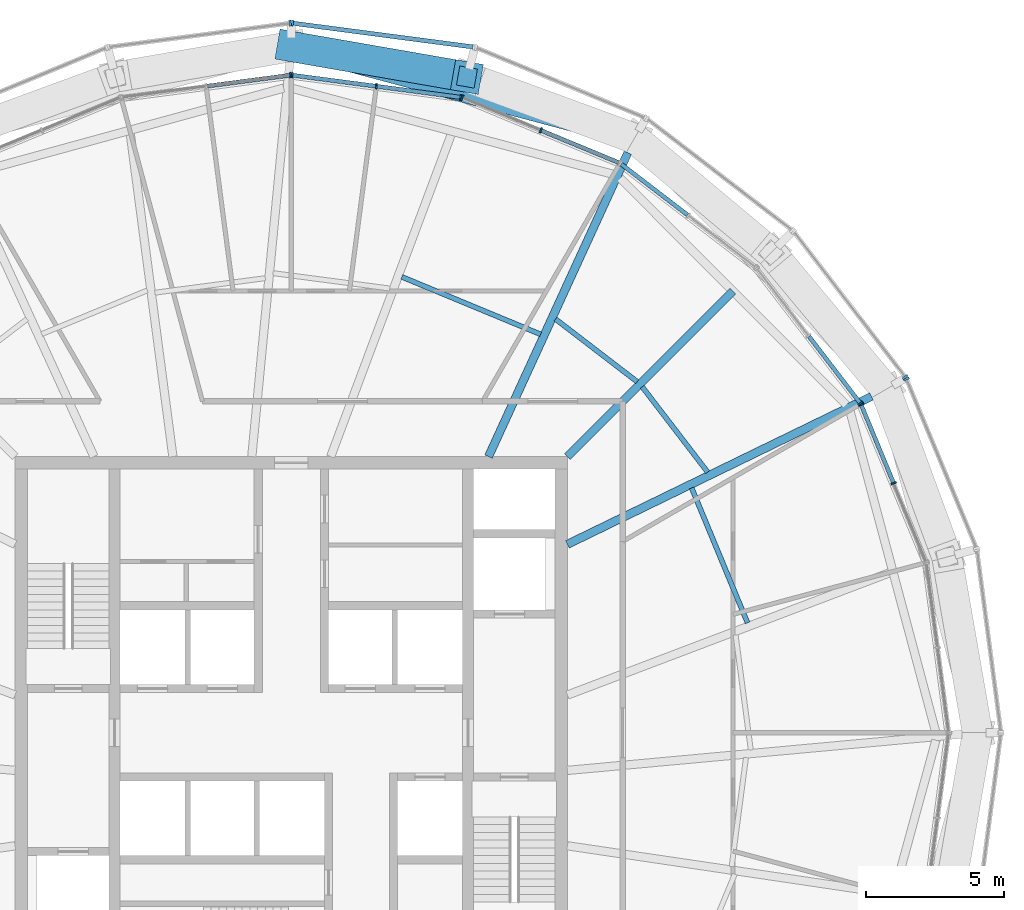
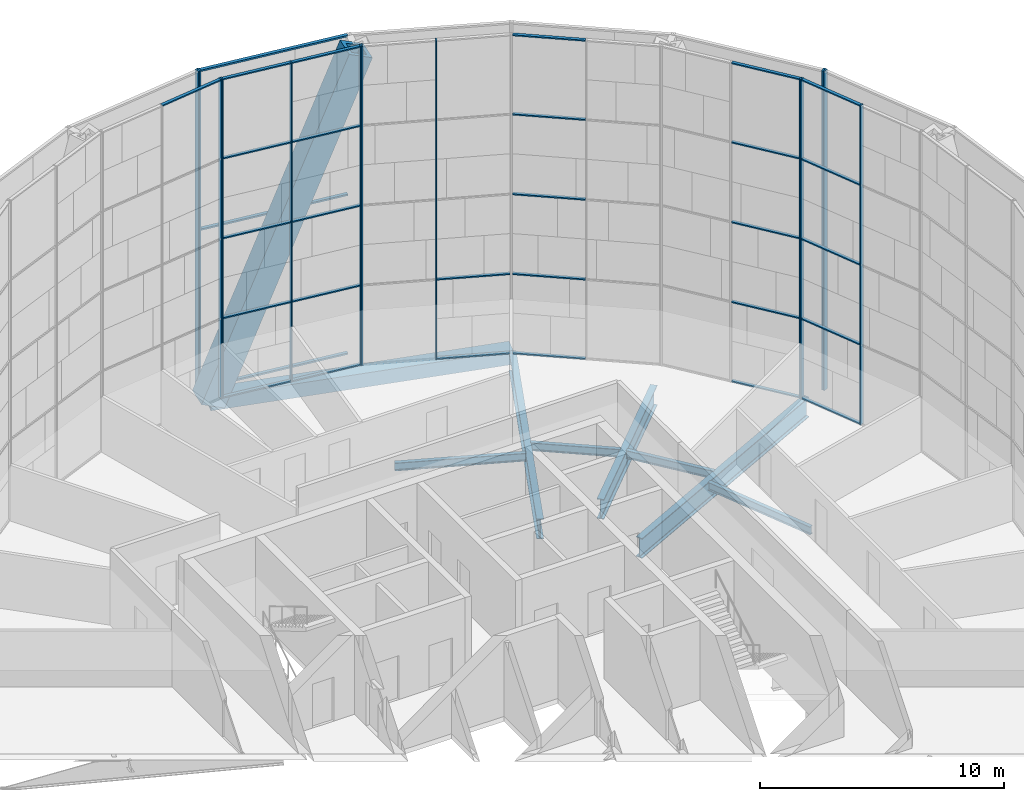
# One storey, part 10 of 28: 45 members, 8 beams, 10 elements without a shape of their own.
"""IFC4 building model written with IfcOpenShell, lengths in metres."""

from ifc_helpers import new_model, si_unit, direction, frame, origin, origin_2d, place, context, subcontext, project, spatial, rectangle, hollow_rectangle, i_section, extrude, material, material_profile, profile_set, type_object, element, aggregate, save


model = new_model("IFC4")

# Units and contexts
model_context = context("Model", 3, precision=1e-05, world=origin(), true_north=direction((0.0, 1.0)))
body_context = subcontext(model_context, "Body", "Model", "MODEL_VIEW")
ifc_project = project(units=[si_unit("LENGTHUNIT", "METRE"), si_unit("AREAUNIT", "SQUARE_METRE"), si_unit("VOLUMEUNIT", "CUBIC_METRE"), si_unit("PLANEANGLEUNIT", "RADIAN"), si_unit("MASSUNIT", "GRAM", prefix="KILO")], contexts=[model_context])

# Site, building, storey
site_placement = place(None, origin())
site = spatial("IfcSite", under=ifc_project, at=site_placement, CompositionType="ELEMENT")
building_placement = place(site_placement, origin())
building = spatial("IfcBuilding", under=site, at=building_placement, Name="Golbaran Civic Tower", CompositionType="ELEMENT")
storey_placement = place(building_placement, frame((0.0, 0.0, 183.0)))
storey = spatial("IfcBuildingStorey", under=building, at=storey_placement, Name="L44", CompositionType="ELEMENT", Elevation=183.0)

# Member
ifc_material_1 = material(Name="Steel S355", Category="steel")
ifc_material_profile_1 = material_profile(ifc_material_1, hollow_rectangle(XDim=1.10009765625, YDim=1.10009765625, WallThickness=0.199951171875, at=origin_2d()), Name="BOX 1100x1100x200")
ifc_profile_set_1 = profile_set([ifc_material_profile_1], Name="Steel S355")
member_type_1 = type_object("IfcMemberType", Name="DIAGRID DIAGONAL BOX 1100x1100x200", PredefinedType="BRACE", material=ifc_profile_set_1)
member_1_placement = place(storey_placement, frame((0.0, 24.846923828125, -0.7099609375), z_axis=(0.368693220348, -0.064127942686, 0.927336463338), x_axis=(0.171360323139, 0.985208424474, 0.0)))
element("IfcMember", 1, at=member_1_placement, inside=storey, type_object=member_type_1, Name="Diagonal D10-03L L44-L48", PredefinedType="BRACE", context=body_context, shape_type="SweptSolid", body=[
    extrude(hollow_rectangle(XDim=1.10009765625, YDim=1.10009765625, WallThickness=0.199951171875, at=origin_2d()), origin(), (0.0, 0.0, 1.0), 17.253662109375),
])

# Beams
ifc_material_profile_2 = material_profile(ifc_material_1, hollow_rectangle(XDim=0.699951171875, YDim=0.699951171875, WallThickness=0.080078125, at=origin_2d()), Name="BOX 700x700x80")
ifc_profile_set_2 = profile_set([ifc_material_profile_2], Name="Steel S355")
beam_type_1 = type_object("IfcBeamType", Name="DIAGRID RING TIE BOX 700x700x80", PredefinedType="BEAM", material=ifc_profile_set_2)
beam_1_placement = place(storey_placement, frame((12.423583984375, 21.51806640625, -0.7099609375), z_axis=(-0.965926445829, 0.258816732935, 0.0), x_axis=(-0.258816732935, -0.965926445829, 0.0)))
element("IfcBeam", 2, at=beam_1_placement, inside=storey, type_object=beam_type_1, Name="Ring tie 60.00 L44", PredefinedType="BEAM", context=body_context, shape_type="SweptSolid", body=[
    extrude(hollow_rectangle(XDim=0.699951171875, YDim=0.699951171875, WallThickness=0.080078125, at=origin_2d()), origin(), (0.0, 0.0, 1.0), 12.86181640625),
])
ifc_material_profile_3 = material_profile(ifc_material_1, i_section(OverallWidth=0.179931640625, OverallDepth=0.39990234375, WebThickness=0.008544921875, FlangeThickness=0.013427734375, FilletRadius=0.02099609375, at=origin_2d()), Name="IPE 400")
ifc_profile_set_3 = profile_set([ifc_material_profile_3], Name="Steel S355")
beam_type_2 = type_object("IfcBeamType", Name="FLOOR INFILL BEAM IPE 400", PredefinedType="BEAM", material=ifc_profile_set_3)
beam_2_placement = place(storey_placement, frame((16.5205078125, 3.978271484375, -0.39990234375), z_axis=(-0.38267390368, 0.923883479364, 0.0), x_axis=(-0.923883479364, -0.38267390368, 0.0)))
element("IfcBeam", 3, at=beam_2_placement, inside=storey, type_object=beam_type_2, Name="Infill beam 22.50 L44", PredefinedType="BEAM", context=body_context, shape_type="SweptSolid", body=[
    extrude(i_section(OverallWidth=0.179931640625, OverallDepth=0.39990234375, WebThickness=0.008544921875, FlangeThickness=0.013427734375, FilletRadius=0.02099609375, at=origin_2d()), origin(), (0.0, 0.0, 1.0), 5.288330078125),
])
beam_3_placement = place(storey_placement, frame((15.076904296875, 9.435302734375, -0.39990234375), z_axis=(-0.608764623827, 0.79335088881, 0.0), x_axis=(-0.79335088881, -0.608764623827, 0.0)))
element("IfcBeam", 4, at=beam_3_placement, inside=storey, type_object=beam_type_2, Name="Infill beam 37.50 L44", PredefinedType="BEAM", context=body_context, shape_type="SweptSolid", body=[
    extrude(i_section(OverallWidth=0.179931640625, OverallDepth=0.39990234375, WebThickness=0.008544921875, FlangeThickness=0.013427734375, FilletRadius=0.02099609375, at=origin_2d()), origin(), (0.0, 0.0, 1.0), 3.892578125),
])
beam_4_placement = place(storey_placement, frame((12.525146484375, 12.708984375, -0.39990234375), z_axis=(-0.793380688002, 0.60872578712, 0.0), x_axis=(-0.60872578712, -0.793380688002, 0.0)))
element("IfcBeam", 5, at=beam_4_placement, inside=storey, type_object=beam_type_2, Name="Infill beam 52.50 L44", PredefinedType="BEAM", context=body_context, shape_type="SweptSolid", body=[
    extrude(i_section(OverallWidth=0.179931640625, OverallDepth=0.39990234375, WebThickness=0.008544921875, FlangeThickness=0.013427734375, FilletRadius=0.02099609375, at=origin_2d()), origin(), (0.0, 0.0, 1.0), 3.72705078125),
])
beam_5_placement = place(storey_placement, frame((9.028564453125, 14.4248046875, -0.39990234375), z_axis=(-0.923883388198, 0.382674123782, 0.0), x_axis=(-0.382674123782, -0.923883388198, 0.0)))
element("IfcBeam", 6, at=beam_5_placement, inside=storey, type_object=beam_type_2, Name="Infill beam 67.50 L44", PredefinedType="BEAM", context=body_context, shape_type="SweptSolid", body=[
    extrude(i_section(OverallWidth=0.179931640625, OverallDepth=0.39990234375, WebThickness=0.008544921875, FlangeThickness=0.013427734375, FilletRadius=0.02099609375, at=origin_2d()), origin(), (0.0, 0.0, 1.0), 5.440673828125),
])

# Curtain wall, members
ifc_material_2 = material(Name="Aluminium and glass", Category="aluminium")
curtain_wall_type_1 = type_object("IfcCurtainWallType", Name="INNER SKIN CURTAIN WALL EXECUTIVE", PredefinedType="NOTDEFINED", material=ifc_material_2)
curtain_wall_1_placement = place(storey_placement, origin())
curtain_wall_1 = element("IfcCurtainWall", 7, at=curtain_wall_1_placement, inside=storey, type_object=curtain_wall_type_1, Name="Inner skin L44 facet 2 CW2", ObjectType="INNER SKIN", PredefinedType="USERDEFINED")
ifc_material_3 = material(Name="Aluminium", Category="aluminium")
ifc_material_profile_4 = material_profile(ifc_material_3, rectangle(XDim=0.199951171875, YDim=0.06005859375, at=origin_2d()), Name="INNER SKIN CURTAIN WALL EXECUTIVE MULLION")
ifc_profile_set_4 = profile_set([ifc_material_profile_4], Name="Aluminium")
member_type_2 = type_object("IfcMemberType", Name="INNER SKIN CURTAIN WALL EXECUTIVE MULLION", PredefinedType="MULLION", material=ifc_profile_set_4)
member_2_placement = place(storey_placement, frame((21.811279296875, 9.034423828125, 0.0), z_axis=(0.0, 0.0, 1.0), x_axis=(-0.923879532491, -0.382683432413, 0.0)))
member_2 = element("IfcMember", 8, at=member_2_placement, type_object=member_type_2, Name="CW2 mullion 2", PredefinedType="MULLION", context=body_context, shape_type="SweptSolid", body=[
    extrude(rectangle(XDim=0.199951171875, YDim=0.06005859375, at=origin_2d()), origin(), (0.0, 0.0, 1.0), 16.0),
])
member_3_placement = place(storey_placement, frame((20.63330078125, 11.878173828125, 0.0), z_axis=(0.0, 0.0, 1.0), x_axis=(-0.923879532491, -0.382683432413, 0.0)))
member_3 = element("IfcMember", 9, at=member_3_placement, type_object=member_type_2, Name="CW2 mullion 3", PredefinedType="MULLION", context=body_context, shape_type="SweptSolid", body=[
    extrude(rectangle(XDim=0.199951171875, YDim=0.06005859375, at=origin_2d()), origin(), (0.0, 0.0, 1.0), 16.0),
])

# Curtain wall, member
curtain_wall_2_placement = place(storey_placement, origin())
curtain_wall_2 = element("IfcCurtainWall", 10, at=curtain_wall_2_placement, inside=storey, type_object=curtain_wall_type_1, Name="Inner skin L44 facet 3 CW2", ObjectType="INNER SKIN", PredefinedType="USERDEFINED")
member_4_placement = place(storey_placement, frame((20.603515625, 11.9296875, 0.0), z_axis=(0.0, 0.0, 1.0), x_axis=(-0.793353340334, -0.608761428953, 0.0)))
member_4 = element("IfcMember", 11, at=member_4_placement, type_object=member_type_2, Name="CW2 mullion 1", PredefinedType="MULLION", context=body_context, shape_type="SweptSolid", body=[
    extrude(rectangle(XDim=0.199951171875, YDim=0.06005859375, at=origin_2d()), origin(), (0.0, 0.0, 1.0), 16.0),
])

# Curtain wall, members
curtain_wall_3_placement = place(storey_placement, origin())
curtain_wall_3 = element("IfcCurtainWall", 12, at=curtain_wall_3_placement, inside=storey, type_object=curtain_wall_type_1, Name="Inner skin L44 facet 5 CW2", ObjectType="INNER SKIN", PredefinedType="USERDEFINED")
member_5_placement = place(storey_placement, frame((9.034423828125, 21.811279296875, 0.0), z_axis=(0.0, 0.0, 1.0), x_axis=(-0.382683432413, -0.923879532491, 0.0)))
member_5 = element("IfcMember", 13, at=member_5_placement, type_object=member_type_2, Name="CW2 mullion 2", PredefinedType="MULLION", context=body_context, shape_type="SweptSolid", body=[
    extrude(rectangle(XDim=0.199951171875, YDim=0.06005859375, at=origin_2d()), origin(), (0.0, 0.0, 1.0), 16.0),
])
member_6_placement = place(storey_placement, frame((6.190673828125, 22.9892578125, 0.0), z_axis=(0.0, 0.0, 1.0), x_axis=(-0.382683432413, -0.923879532491, 0.0)))
member_6 = element("IfcMember", 14, at=member_6_placement, type_object=member_type_2, Name="CW2 mullion 3", PredefinedType="MULLION", context=body_context, shape_type="SweptSolid", body=[
    extrude(rectangle(XDim=0.199951171875, YDim=0.06005859375, at=origin_2d()), origin(), (0.0, 0.0, 1.0), 16.0),
])

curtain_wall_4_placement = place(storey_placement, origin())
curtain_wall_4 = element("IfcCurtainWall", 15, at=curtain_wall_4_placement, inside=storey, type_object=curtain_wall_type_1, Name="Inner skin L44 facet 6 CW2", ObjectType="INNER SKIN", PredefinedType="USERDEFINED")
member_7_placement = place(storey_placement, frame((6.13330078125, 23.004638671875, 0.0), z_axis=(0.0, 0.0, 1.0), x_axis=(-0.130526192151, -0.991444861383, 0.0)))
member_7 = element("IfcMember", 16, at=member_7_placement, type_object=member_type_2, Name="CW2 mullion 1", PredefinedType="MULLION", context=body_context, shape_type="SweptSolid", body=[
    extrude(rectangle(XDim=0.199951171875, YDim=0.06005859375, at=origin_2d()), origin(), (0.0, 0.0, 1.0), 16.0),
])
member_8_placement = place(storey_placement, frame((3.08154296875, 23.40625, 0.0), z_axis=(0.0, 0.0, 1.0), x_axis=(-0.130526192151, -0.991444861383, 0.0)))
member_8 = element("IfcMember", 17, at=member_8_placement, type_object=member_type_2, Name="CW2 mullion 2", PredefinedType="MULLION", context=body_context, shape_type="SweptSolid", body=[
    extrude(rectangle(XDim=0.199951171875, YDim=0.06005859375, at=origin_2d()), origin(), (0.0, 0.0, 1.0), 16.0),
])
member_9_placement = place(storey_placement, frame((0.02978515625, 23.80810546875, 0.0), z_axis=(0.0, 0.0, 1.0), x_axis=(-0.130526192151, -0.991444861383, 0.0)))
member_9 = element("IfcMember", 18, at=member_9_placement, type_object=member_type_2, Name="CW2 mullion 3", PredefinedType="MULLION", context=body_context, shape_type="SweptSolid", body=[
    extrude(rectangle(XDim=0.199951171875, YDim=0.06005859375, at=origin_2d()), origin(), (0.0, 0.0, 1.0), 16.0),
])

# Curtain wall, member
curtain_wall_5_placement = place(storey_placement, origin())
curtain_wall_5 = element("IfcCurtainWall", 19, at=curtain_wall_5_placement, inside=storey, type_object=curtain_wall_type_1, Name="Inner skin L44 facet 7 CW2", ObjectType="INNER SKIN", PredefinedType="USERDEFINED")
member_10_placement = place(storey_placement, frame((-0.02978515625, 23.80810546875, 0.0), z_axis=(0.0, 0.0, 1.0), x_axis=(0.130526192151, -0.991444861383, 0.0)))
member_10 = element("IfcMember", 20, at=member_10_placement, type_object=member_type_2, Name="CW2 mullion 1", PredefinedType="MULLION", context=body_context, shape_type="SweptSolid", body=[
    extrude(rectangle(XDim=0.199951171875, YDim=0.06005859375, at=origin_2d()), origin(), (0.0, 0.0, 1.0), 16.0),
])

# Member
ifc_material_profile_5 = material_profile(ifc_material_3, rectangle(XDim=0.14990234375, YDim=0.06005859375, at=origin_2d()), Name="INNER SKIN CURTAIN WALL EXECUTIVE TRANSOM")
ifc_profile_set_5 = profile_set([ifc_material_profile_5], Name="Aluminium")
member_type_3 = type_object("IfcMemberType", Name="INNER SKIN CURTAIN WALL EXECUTIVE TRANSOM", PredefinedType="USERDEFINED", material=ifc_profile_set_5)
member_11_placement = place(storey_placement, frame((21.7998046875, 9.062255859375, 0.030029296875), z_axis=(-0.382701860943, 0.923871898929, 0.0), x_axis=(-0.923871898929, -0.382701860943, 0.0)))
member_11 = element("IfcMember", 21, at=member_11_placement, type_object=member_type_3, Name="CW2 transom 2.1", ObjectType="TRANSOM", PredefinedType="USERDEFINED", context=body_context, shape_type="SweptSolid", body=[
    extrude(rectangle(XDim=0.14990234375, YDim=0.06005859375, at=origin_2d()), origin(), (0.0, 0.0, 1.0), 3.01806640625),
])

member_12_placement = place(storey_placement, frame((21.7998046875, 9.062255859375, 4.0), z_axis=(-0.382701860943, 0.923871898929, 0.0), x_axis=(-0.923871898929, -0.382701860943, 0.0)))
member_12 = element("IfcMember", 22, at=member_12_placement, type_object=member_type_3, Name="CW2 transom 2.2", ObjectType="TRANSOM", PredefinedType="USERDEFINED", context=body_context, shape_type="SweptSolid", body=[
    extrude(rectangle(XDim=0.14990234375, YDim=0.06005859375, at=origin_2d()), origin(), (0.0, 0.0, 1.0), 3.01806640625),
])

member_13_placement = place(storey_placement, frame((21.7998046875, 9.062255859375, 8.0), z_axis=(-0.382701860943, 0.923871898929, 0.0), x_axis=(-0.923871898929, -0.382701860943, 0.0)))
member_13 = element("IfcMember", 23, at=member_13_placement, type_object=member_type_3, Name="CW2 transom 2.3", ObjectType="TRANSOM", PredefinedType="USERDEFINED", context=body_context, shape_type="SweptSolid", body=[
    extrude(rectangle(XDim=0.14990234375, YDim=0.06005859375, at=origin_2d()), origin(), (0.0, 0.0, 1.0), 3.01806640625),
])

member_14_placement = place(storey_placement, frame((21.7998046875, 9.062255859375, 12.0), z_axis=(-0.382701860943, 0.923871898929, 0.0), x_axis=(-0.923871898929, -0.382701860943, 0.0)))
member_14 = element("IfcMember", 24, at=member_14_placement, type_object=member_type_3, Name="CW2 transom 2.4", ObjectType="TRANSOM", PredefinedType="USERDEFINED", context=body_context, shape_type="SweptSolid", body=[
    extrude(rectangle(XDim=0.14990234375, YDim=0.06005859375, at=origin_2d()), origin(), (0.0, 0.0, 1.0), 3.01806640625),
])

member_15_placement = place(storey_placement, frame((21.7998046875, 9.062255859375, 15.969970703125), z_axis=(-0.382701860943, 0.923871898929, 0.0), x_axis=(-0.923871898929, -0.382701860943, 0.0)))
member_15 = element("IfcMember", 25, at=member_15_placement, type_object=member_type_3, Name="CW2 transom 2.5", ObjectType="TRANSOM", PredefinedType="USERDEFINED", context=body_context, shape_type="SweptSolid", body=[
    extrude(rectangle(XDim=0.14990234375, YDim=0.06005859375, at=origin_2d()), origin(), (0.0, 0.0, 1.0), 3.01806640625),
])

aggregate(curtain_wall_1, [member_2, member_3, member_11, member_12, member_13, member_14, member_15])

member_16_placement = place(storey_placement, frame((20.585205078125, 11.95361328125, 0.030029296875), z_axis=(-0.608752479135, 0.793360207691, 0.0), x_axis=(-0.793360207691, -0.608752479135, 0.0)))
member_16 = element("IfcMember", 26, at=member_16_placement, type_object=member_type_3, Name="CW2 transom 1.1", ObjectType="TRANSOM", PredefinedType="USERDEFINED", context=body_context, shape_type="SweptSolid", body=[
    extrude(rectangle(XDim=0.14990234375, YDim=0.06005859375, at=origin_2d()), origin(), (0.0, 0.0, 1.0), 3.017822265625),
])

member_17_placement = place(storey_placement, frame((20.585205078125, 11.95361328125, 4.0), z_axis=(-0.608752479135, 0.793360207691, 0.0), x_axis=(-0.793360207691, -0.608752479135, 0.0)))
member_17 = element("IfcMember", 27, at=member_17_placement, type_object=member_type_3, Name="CW2 transom 1.2", ObjectType="TRANSOM", PredefinedType="USERDEFINED", context=body_context, shape_type="SweptSolid", body=[
    extrude(rectangle(XDim=0.14990234375, YDim=0.06005859375, at=origin_2d()), origin(), (0.0, 0.0, 1.0), 3.017822265625),
])

member_18_placement = place(storey_placement, frame((20.585205078125, 11.95361328125, 8.0), z_axis=(-0.608752479135, 0.793360207691, 0.0), x_axis=(-0.793360207691, -0.608752479135, 0.0)))
member_18 = element("IfcMember", 28, at=member_18_placement, type_object=member_type_3, Name="CW2 transom 1.3", ObjectType="TRANSOM", PredefinedType="USERDEFINED", context=body_context, shape_type="SweptSolid", body=[
    extrude(rectangle(XDim=0.14990234375, YDim=0.06005859375, at=origin_2d()), origin(), (0.0, 0.0, 1.0), 3.017822265625),
])

member_19_placement = place(storey_placement, frame((20.585205078125, 11.95361328125, 12.0), z_axis=(-0.608752479135, 0.793360207691, 0.0), x_axis=(-0.793360207691, -0.608752479135, 0.0)))
member_19 = element("IfcMember", 29, at=member_19_placement, type_object=member_type_3, Name="CW2 transom 1.4", ObjectType="TRANSOM", PredefinedType="USERDEFINED", context=body_context, shape_type="SweptSolid", body=[
    extrude(rectangle(XDim=0.14990234375, YDim=0.06005859375, at=origin_2d()), origin(), (0.0, 0.0, 1.0), 3.017822265625),
])

member_20_placement = place(storey_placement, frame((20.585205078125, 11.95361328125, 15.969970703125), z_axis=(-0.608752479135, 0.793360207691, 0.0), x_axis=(-0.793360207691, -0.608752479135, 0.0)))
member_20 = element("IfcMember", 30, at=member_20_placement, type_object=member_type_3, Name="CW2 transom 1.5", ObjectType="TRANSOM", PredefinedType="USERDEFINED", context=body_context, shape_type="SweptSolid", body=[
    extrude(rectangle(XDim=0.14990234375, YDim=0.06005859375, at=origin_2d()), origin(), (0.0, 0.0, 1.0), 3.017822265625),
])

aggregate(curtain_wall_2, [member_4, member_16, member_17, member_18, member_19, member_20])

# Curtain wall, members
curtain_wall_6_placement = place(storey_placement, origin())
curtain_wall_6 = element("IfcCurtainWall", 31, at=curtain_wall_6_placement, inside=storey, type_object=curtain_wall_type_1, Name="Inner skin L44 facet 4 CW2", ObjectType="INNER SKIN", PredefinedType="USERDEFINED")
member_21_placement = place(storey_placement, frame((14.347900390625, 18.748046875, 0.030029296875), z_axis=(-0.793360207691, 0.608752479135, 0.0), x_axis=(-0.608752479135, -0.793360207691, 0.0)))
member_21 = element("IfcMember", 32, at=member_21_placement, type_object=member_type_3, Name="CW2 transom 2.1", ObjectType="TRANSOM", PredefinedType="USERDEFINED", context=body_context, shape_type="SweptSolid", body=[
    extrude(rectangle(XDim=0.14990234375, YDim=0.06005859375, at=origin_2d()), origin(), (0.0, 0.0, 1.0), 3.017822265625),
])
member_22_placement = place(storey_placement, frame((14.347900390625, 18.748046875, 4.0), z_axis=(-0.793360207691, 0.608752479135, 0.0), x_axis=(-0.608752479135, -0.793360207691, 0.0)))
member_22 = element("IfcMember", 33, at=member_22_placement, type_object=member_type_3, Name="CW2 transom 2.2", ObjectType="TRANSOM", PredefinedType="USERDEFINED", context=body_context, shape_type="SweptSolid", body=[
    extrude(rectangle(XDim=0.14990234375, YDim=0.06005859375, at=origin_2d()), origin(), (0.0, 0.0, 1.0), 3.017822265625),
])
member_23_placement = place(storey_placement, frame((14.347900390625, 18.748046875, 8.0), z_axis=(-0.793360207691, 0.608752479135, 0.0), x_axis=(-0.608752479135, -0.793360207691, 0.0)))
member_23 = element("IfcMember", 34, at=member_23_placement, type_object=member_type_3, Name="CW2 transom 2.3", ObjectType="TRANSOM", PredefinedType="USERDEFINED", context=body_context, shape_type="SweptSolid", body=[
    extrude(rectangle(XDim=0.14990234375, YDim=0.06005859375, at=origin_2d()), origin(), (0.0, 0.0, 1.0), 3.017822265625),
])
member_24_placement = place(storey_placement, frame((14.347900390625, 18.748046875, 12.0), z_axis=(-0.793360207691, 0.608752479135, 0.0), x_axis=(-0.608752479135, -0.793360207691, 0.0)))
member_24 = element("IfcMember", 35, at=member_24_placement, type_object=member_type_3, Name="CW2 transom 2.4", ObjectType="TRANSOM", PredefinedType="USERDEFINED", context=body_context, shape_type="SweptSolid", body=[
    extrude(rectangle(XDim=0.14990234375, YDim=0.06005859375, at=origin_2d()), origin(), (0.0, 0.0, 1.0), 3.017822265625),
])
member_25_placement = place(storey_placement, frame((14.347900390625, 18.748046875, 15.969970703125), z_axis=(-0.793360207691, 0.608752479135, 0.0), x_axis=(-0.608752479135, -0.793360207691, 0.0)))
member_25 = element("IfcMember", 36, at=member_25_placement, type_object=member_type_3, Name="CW2 transom 2.5", ObjectType="TRANSOM", PredefinedType="USERDEFINED", context=body_context, shape_type="SweptSolid", body=[
    extrude(rectangle(XDim=0.14990234375, YDim=0.06005859375, at=origin_2d()), origin(), (0.0, 0.0, 1.0), 3.017822265625),
])
aggregate(curtain_wall_6, [member_21, member_22, member_23, member_24, member_25])

# Member
member_26_placement = place(storey_placement, frame((11.8505859375, 20.644775390625, 0.030029296875), z_axis=(-0.923871898929, 0.382701860943, 0.0), x_axis=(-0.382701860943, -0.923871898929, 0.0)))
member_26 = element("IfcMember", 37, at=member_26_placement, type_object=member_type_3, Name="CW2 transom 1.1", ObjectType="TRANSOM", PredefinedType="USERDEFINED", context=body_context, shape_type="SweptSolid", body=[
    extrude(rectangle(XDim=0.14990234375, YDim=0.06005859375, at=origin_2d()), origin(), (0.0, 0.0, 1.0), 3.01806640625),
])

member_27_placement = place(storey_placement, frame((11.8505859375, 20.644775390625, 4.0), z_axis=(-0.923871898929, 0.382701860943, 0.0), x_axis=(-0.382701860943, -0.923871898929, 0.0)))
member_27 = element("IfcMember", 38, at=member_27_placement, type_object=member_type_3, Name="CW2 transom 1.2", ObjectType="TRANSOM", PredefinedType="USERDEFINED", context=body_context, shape_type="SweptSolid", body=[
    extrude(rectangle(XDim=0.14990234375, YDim=0.06005859375, at=origin_2d()), origin(), (0.0, 0.0, 1.0), 3.01806640625),
])

aggregate(curtain_wall_3, [member_5, member_6, member_26, member_27])

member_28_placement = place(storey_placement, frame((6.103515625, 23.008544921875, 0.030029296875), z_axis=(-0.991450440339, 0.130483808769, 0.0), x_axis=(-0.130483808769, -0.991450440339, 0.0)))
member_28 = element("IfcMember", 39, at=member_28_placement, type_object=member_type_3, Name="CW2 transom 1.1", ObjectType="TRANSOM", PredefinedType="USERDEFINED", context=body_context, shape_type="SweptSolid", body=[
    extrude(rectangle(XDim=0.14990234375, YDim=0.06005859375, at=origin_2d()), origin(), (0.0, 0.0, 1.0), 3.01806640625),
])

member_29_placement = place(storey_placement, frame((6.103515625, 23.008544921875, 4.0), z_axis=(-0.991450440339, 0.130483808769, 0.0), x_axis=(-0.130483808769, -0.991450440339, 0.0)))
member_29 = element("IfcMember", 40, at=member_29_placement, type_object=member_type_3, Name="CW2 transom 1.2", ObjectType="TRANSOM", PredefinedType="USERDEFINED", context=body_context, shape_type="SweptSolid", body=[
    extrude(rectangle(XDim=0.14990234375, YDim=0.06005859375, at=origin_2d()), origin(), (0.0, 0.0, 1.0), 3.01806640625),
])

member_30_placement = place(storey_placement, frame((6.103515625, 23.008544921875, 8.0), z_axis=(-0.991450440339, 0.130483808769, 0.0), x_axis=(-0.130483808769, -0.991450440339, 0.0)))
member_30 = element("IfcMember", 41, at=member_30_placement, type_object=member_type_3, Name="CW2 transom 1.3", ObjectType="TRANSOM", PredefinedType="USERDEFINED", context=body_context, shape_type="SweptSolid", body=[
    extrude(rectangle(XDim=0.14990234375, YDim=0.06005859375, at=origin_2d()), origin(), (0.0, 0.0, 1.0), 3.01806640625),
])

member_31_placement = place(storey_placement, frame((6.103515625, 23.008544921875, 12.0), z_axis=(-0.991450440339, 0.130483808769, 0.0), x_axis=(-0.130483808769, -0.991450440339, 0.0)))
member_31 = element("IfcMember", 42, at=member_31_placement, type_object=member_type_3, Name="CW2 transom 1.4", ObjectType="TRANSOM", PredefinedType="USERDEFINED", context=body_context, shape_type="SweptSolid", body=[
    extrude(rectangle(XDim=0.14990234375, YDim=0.06005859375, at=origin_2d()), origin(), (0.0, 0.0, 1.0), 3.01806640625),
])

member_32_placement = place(storey_placement, frame((6.103515625, 23.008544921875, 15.969970703125), z_axis=(-0.991450440339, 0.130483808769, 0.0), x_axis=(-0.130483808769, -0.991450440339, 0.0)))
member_32 = element("IfcMember", 43, at=member_32_placement, type_object=member_type_3, Name="CW2 transom 1.5", ObjectType="TRANSOM", PredefinedType="USERDEFINED", context=body_context, shape_type="SweptSolid", body=[
    extrude(rectangle(XDim=0.14990234375, YDim=0.06005859375, at=origin_2d()), origin(), (0.0, 0.0, 1.0), 3.01806640625),
])

member_33_placement = place(storey_placement, frame((3.0517578125, 23.41015625, 0.030029296875), z_axis=(-0.991439972004, 0.130563325295, 0.0), x_axis=(-0.130563325295, -0.991439972004, 0.0)))
member_33 = element("IfcMember", 44, at=member_33_placement, type_object=member_type_3, Name="CW2 transom 2.1", ObjectType="TRANSOM", PredefinedType="USERDEFINED", context=body_context, shape_type="SweptSolid", body=[
    extrude(rectangle(XDim=0.14990234375, YDim=0.06005859375, at=origin_2d()), origin(), (0.0, 0.0, 1.0), 3.01806640625),
])

member_34_placement = place(storey_placement, frame((3.0517578125, 23.41015625, 4.0), z_axis=(-0.991439972004, 0.130563325295, 0.0), x_axis=(-0.130563325295, -0.991439972004, 0.0)))
member_34 = element("IfcMember", 45, at=member_34_placement, type_object=member_type_3, Name="CW2 transom 2.2", ObjectType="TRANSOM", PredefinedType="USERDEFINED", context=body_context, shape_type="SweptSolid", body=[
    extrude(rectangle(XDim=0.14990234375, YDim=0.06005859375, at=origin_2d()), origin(), (0.0, 0.0, 1.0), 3.01806640625),
])

member_35_placement = place(storey_placement, frame((3.0517578125, 23.41015625, 8.0), z_axis=(-0.991439972004, 0.130563325295, 0.0), x_axis=(-0.130563325295, -0.991439972004, 0.0)))
member_35 = element("IfcMember", 46, at=member_35_placement, type_object=member_type_3, Name="CW2 transom 2.3", ObjectType="TRANSOM", PredefinedType="USERDEFINED", context=body_context, shape_type="SweptSolid", body=[
    extrude(rectangle(XDim=0.14990234375, YDim=0.06005859375, at=origin_2d()), origin(), (0.0, 0.0, 1.0), 3.01806640625),
])

member_36_placement = place(storey_placement, frame((3.0517578125, 23.41015625, 12.0), z_axis=(-0.991439972004, 0.130563325295, 0.0), x_axis=(-0.130563325295, -0.991439972004, 0.0)))
member_36 = element("IfcMember", 47, at=member_36_placement, type_object=member_type_3, Name="CW2 transom 2.4", ObjectType="TRANSOM", PredefinedType="USERDEFINED", context=body_context, shape_type="SweptSolid", body=[
    extrude(rectangle(XDim=0.14990234375, YDim=0.06005859375, at=origin_2d()), origin(), (0.0, 0.0, 1.0), 3.01806640625),
])

member_37_placement = place(storey_placement, frame((3.0517578125, 23.41015625, 15.969970703125), z_axis=(-0.991439972004, 0.130563325295, 0.0), x_axis=(-0.130563325295, -0.991439972004, 0.0)))
member_37 = element("IfcMember", 48, at=member_37_placement, type_object=member_type_3, Name="CW2 transom 2.5", ObjectType="TRANSOM", PredefinedType="USERDEFINED", context=body_context, shape_type="SweptSolid", body=[
    extrude(rectangle(XDim=0.14990234375, YDim=0.06005859375, at=origin_2d()), origin(), (0.0, 0.0, 1.0), 3.01806640625),
])

aggregate(curtain_wall_4, [member_7, member_8, member_9, member_28, member_29, member_30, member_31, member_32, member_33, member_34, member_35, member_36, member_37])

member_38_placement = place(storey_placement, frame((-0.0595703125, 23.80419921875, 15.969970703125), z_axis=(-0.991439972004, -0.130563325295, 0.0), x_axis=(0.130563325295, -0.991439972004, 0.0)))
member_38 = element("IfcMember", 49, at=member_38_placement, type_object=member_type_3, Name="CW2 transom 1.5", ObjectType="TRANSOM", PredefinedType="USERDEFINED", context=body_context, shape_type="SweptSolid", body=[
    extrude(rectangle(XDim=0.14990234375, YDim=0.06005859375, at=origin_2d()), origin(), (0.0, 0.0, 1.0), 3.01806640625),
])

aggregate(curtain_wall_5, [member_10, member_38])

# Curtain wall, member
curtain_wall_type_2 = type_object("IfcCurtainWallType", Name="OUTER SKIN TERRACOTTA SCREEN", PredefinedType="NOTDEFINED", material=ifc_material_2)
curtain_wall_7_placement = place(storey_placement, origin())
curtain_wall_7 = element("IfcCurtainWall", 50, at=curtain_wall_7_placement, inside=storey, type_object=curtain_wall_type_2, Name="Outer skin L44 facet 2 CW3", ObjectType="OUTER SKIN", PredefinedType="USERDEFINED")
ifc_material_profile_6 = material_profile(ifc_material_3, rectangle(XDim=0.219970703125, YDim=0.080078125, at=origin_2d()), Name="OUTER SKIN TERRACOTTA SCREEN MULLION")
ifc_profile_set_6 = profile_set([ifc_material_profile_6], Name="Aluminium")
member_type_4 = type_object("IfcMemberType", Name="OUTER SKIN TERRACOTTA SCREEN MULLION", PredefinedType="MULLION", material=ifc_profile_set_6)
member_39_placement = place(storey_placement, frame((22.26953125, 12.8115234375, -0.7099609375), z_axis=(0.0, 0.0, 1.0), x_axis=(-0.923879532518, -0.382683432349, 0.0)))
member_39 = element("IfcMember", 51, at=member_39_placement, type_object=member_type_4, Name="CW3 mullion 2", PredefinedType="MULLION", context=body_context, shape_type="SweptSolid", body=[
    extrude(rectangle(XDim=0.219970703125, YDim=0.080078125, at=origin_2d()), origin(), (0.0, 0.0, 1.0), 16.0),
])
aggregate(curtain_wall_7, [member_39])

curtain_wall_8_placement = place(storey_placement, origin())
curtain_wall_8 = element("IfcCurtainWall", 52, at=curtain_wall_8_placement, inside=storey, type_object=curtain_wall_type_2, Name="Outer skin L44 facet 3 CW3", ObjectType="OUTER SKIN", PredefinedType="USERDEFINED")
member_40_placement = place(storey_placement, frame((22.22998046875, 12.880126953125, -0.7099609375), z_axis=(0.0, 0.0, 1.0), x_axis=(-0.793353340281, -0.608761429023, 0.0)))
member_40 = element("IfcMember", 53, at=member_40_placement, type_object=member_type_4, Name="CW3 mullion 1", PredefinedType="MULLION", context=body_context, shape_type="SweptSolid", body=[
    extrude(rectangle(XDim=0.219970703125, YDim=0.080078125, at=origin_2d()), origin(), (0.0, 0.0, 1.0), 16.0),
])
aggregate(curtain_wall_8, [member_40])

curtain_wall_9_placement = place(storey_placement, origin())
curtain_wall_9 = element("IfcCurtainWall", 54, at=curtain_wall_9_placement, inside=storey, type_object=curtain_wall_type_2, Name="Outer skin L44 facet 6 CW3", ObjectType="OUTER SKIN", PredefinedType="USERDEFINED")
member_41_placement = place(storey_placement, frame((0.03955078125, 25.69189453125, -0.7099609375), z_axis=(0.0, 0.0, 1.0), x_axis=(-0.130526192237, -0.991444861372, 0.0)))
member_41 = element("IfcMember", 55, at=member_41_placement, type_object=member_type_4, Name="CW3 mullion 2", PredefinedType="MULLION", context=body_context, shape_type="SweptSolid", body=[
    extrude(rectangle(XDim=0.219970703125, YDim=0.080078125, at=origin_2d()), origin(), (0.0, 0.0, 1.0), 16.0),
])

curtain_wall_10_placement = place(storey_placement, origin())
curtain_wall_10 = element("IfcCurtainWall", 56, at=curtain_wall_10_placement, inside=storey, type_object=curtain_wall_type_2, Name="Outer skin L44 facet 7 CW3", ObjectType="OUTER SKIN", PredefinedType="USERDEFINED")
member_42_placement = place(storey_placement, frame((-0.03955078125, 25.69189453125, -0.7099609375), z_axis=(0.0, 0.0, 1.0), x_axis=(0.130526192237, -0.991444861372, 0.0)))
member_42 = element("IfcMember", 57, at=member_42_placement, type_object=member_type_4, Name="CW3 mullion 1", PredefinedType="MULLION", context=body_context, shape_type="SweptSolid", body=[
    extrude(rectangle(XDim=0.219970703125, YDim=0.080078125, at=origin_2d()), origin(), (0.0, 0.0, 1.0), 16.0),
])
aggregate(curtain_wall_10, [member_42])

# Member
ifc_material_profile_7 = material_profile(ifc_material_3, rectangle(XDim=0.159912109375, YDim=0.080078125, at=origin_2d()), Name="OUTER SKIN TERRACOTTA SCREEN TRANSOM")
ifc_profile_set_7 = profile_set([ifc_material_profile_7], Name="Aluminium")
member_type_5 = type_object("IfcMemberType", Name="OUTER SKIN TERRACOTTA SCREEN TRANSOM", PredefinedType="USERDEFINED", material=ifc_profile_set_7)
member_43_placement = place(storey_placement, frame((6.571533203125, 24.831787109375, -0.669921875), z_axis=(-0.991444394399, 0.130529739199, 0.0), x_axis=(-0.130529739199, -0.991444394399, 0.0)))
member_43 = element("IfcMember", 58, at=member_43_placement, type_object=member_type_5, Name="CW3 transom 1.1", ObjectType="TRANSOM", PredefinedType="USERDEFINED", context=body_context, shape_type="SweptSolid", body=[
    extrude(rectangle(XDim=0.159912109375, YDim=0.080078125, at=origin_2d()), origin(), (0.0, 0.0, 1.0), 6.548095703125),
])

member_44_placement = place(storey_placement, frame((6.571533203125, 24.831787109375, 7.2900390625), z_axis=(-0.991444394399, 0.130529739199, 0.0), x_axis=(-0.130529739199, -0.991444394399, 0.0)))
member_44 = element("IfcMember", 59, at=member_44_placement, type_object=member_type_5, Name="CW3 transom 1.2", ObjectType="TRANSOM", PredefinedType="USERDEFINED", context=body_context, shape_type="SweptSolid", body=[
    extrude(rectangle(XDim=0.159912109375, YDim=0.080078125, at=origin_2d()), origin(), (0.0, 0.0, 1.0), 6.548095703125),
])

member_45_placement = place(storey_placement, frame((6.571533203125, 24.831787109375, 15.25), z_axis=(-0.991444394399, 0.130529739199, 0.0), x_axis=(-0.130529739199, -0.991444394399, 0.0)))
member_45 = element("IfcMember", 60, at=member_45_placement, type_object=member_type_5, Name="CW3 transom 1.3", ObjectType="TRANSOM", PredefinedType="USERDEFINED", context=body_context, shape_type="SweptSolid", body=[
    extrude(rectangle(XDim=0.159912109375, YDim=0.080078125, at=origin_2d()), origin(), (0.0, 0.0, 1.0), 6.548095703125),
])

aggregate(curtain_wall_9, [member_41, member_43, member_44, member_45])

# Beams
ifc_material_profile_8 = material_profile(ifc_material_1, i_section(OverallWidth=0.300048828125, OverallDepth=1.0, WebThickness=0.01904296875, FlangeThickness=0.035888671875, FilletRadius=0.030029296875, at=origin_2d()), Name="HEB 1000")
ifc_profile_set_8 = profile_set([ifc_material_profile_8], Name="Steel S355")
beam_type_3 = type_object("IfcBeamType", Name="RADIAL FLOOR BEAM HEB 1000", PredefinedType="BEAM", material=ifc_profile_set_8)
beam_6_placement = place(storey_placement, frame((10.0, 6.821533203125, -0.7099609375), z_axis=(0.899283428873, 0.437366339074, 0.0), x_axis=(-0.437366339074, 0.899283428873, 0.0)))
element("IfcBeam", 61, at=beam_6_placement, inside=storey, type_object=beam_type_3, Name="Radial beam 30.00 L44", PredefinedType="BEAM", context=body_context, shape_type="SweptSolid", body=[
    extrude(i_section(OverallWidth=0.300048828125, OverallDepth=1.0, WebThickness=0.01904296875, FlangeThickness=0.035888671875, FilletRadius=0.030029296875, at=origin_2d()), origin(), (0.0, 0.0, 1.0), 12.241455078125),
])
beam_7_placement = place(storey_placement, frame((7.142822265625, 10.0, -0.7099609375), z_axis=(0.416760302145, 0.909016419299, 0.0), x_axis=(-0.909016419299, 0.416760302145, 0.0)))
element("IfcBeam", 62, at=beam_7_placement, inside=storey, type_object=beam_type_3, Name="Radial beam 60.00 L44", PredefinedType="BEAM", context=body_context, shape_type="SweptSolid", body=[
    extrude(i_section(OverallWidth=0.300048828125, OverallDepth=1.0, WebThickness=0.01904296875, FlangeThickness=0.035888671875, FilletRadius=0.030029296875, at=origin_2d()), origin(), (0.0, 0.0, 1.0), 12.10107421875),
])
ifc_material_profile_9 = material_profile(ifc_material_1, i_section(OverallWidth=0.300048828125, OverallDepth=1.0, WebThickness=0.01904296875, FlangeThickness=0.035888671875, FilletRadius=0.030029296875, at=origin_2d()), Name="HEB 1000")
ifc_profile_set_9 = profile_set([ifc_material_profile_9], Name="Steel S355")
beam_type_4 = type_object("IfcBeamType", Name="SECONDARY FLOOR BEAM HEB 1000", PredefinedType="BEAM", material=ifc_profile_set_9)
beam_8_placement = place(storey_placement, frame((10.0, 10.0, -0.7099609375), z_axis=(0.707106781187, 0.707106781187, 0.0), x_axis=(-0.707106781187, 0.707106781187, 0.0)))
element("IfcBeam", 63, at=beam_8_placement, inside=storey, type_object=beam_type_4, Name="Secondary beam 45.00 L44", PredefinedType="BEAM", context=body_context, shape_type="SweptSolid", body=[
    extrude(i_section(OverallWidth=0.300048828125, OverallDepth=1.0, WebThickness=0.01904296875, FlangeThickness=0.035888671875, FilletRadius=0.030029296875, at=origin_2d()), origin(), (0.0, 0.0, 1.0), 8.470703125),
])

save(model, "model.ifc")
